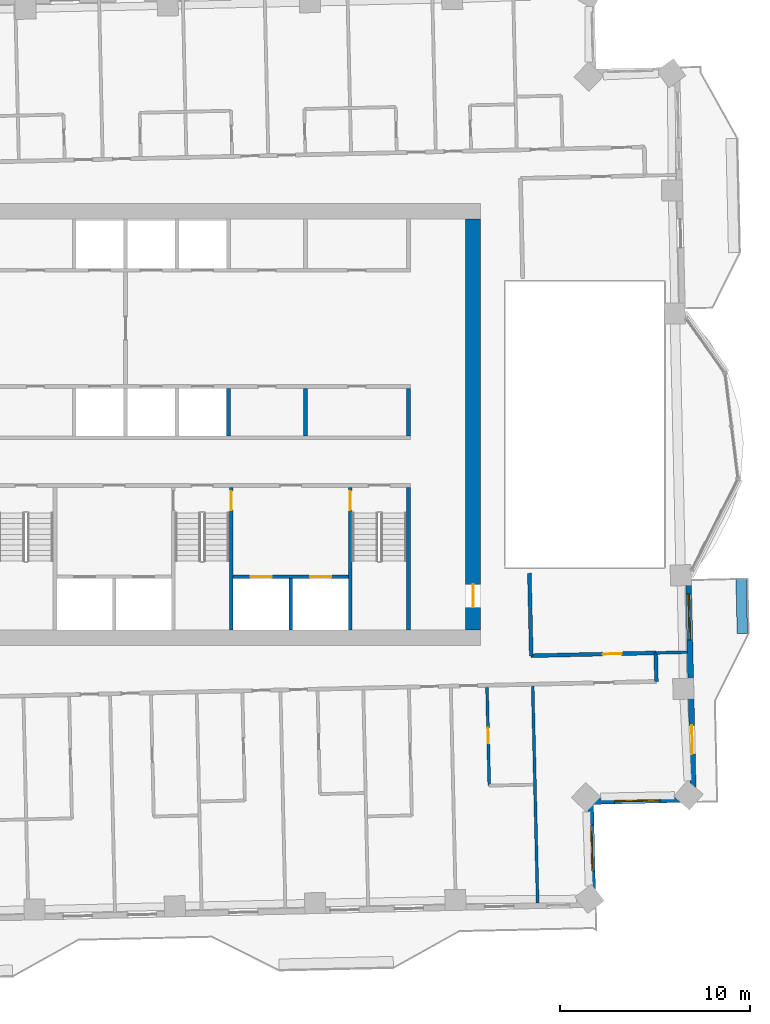
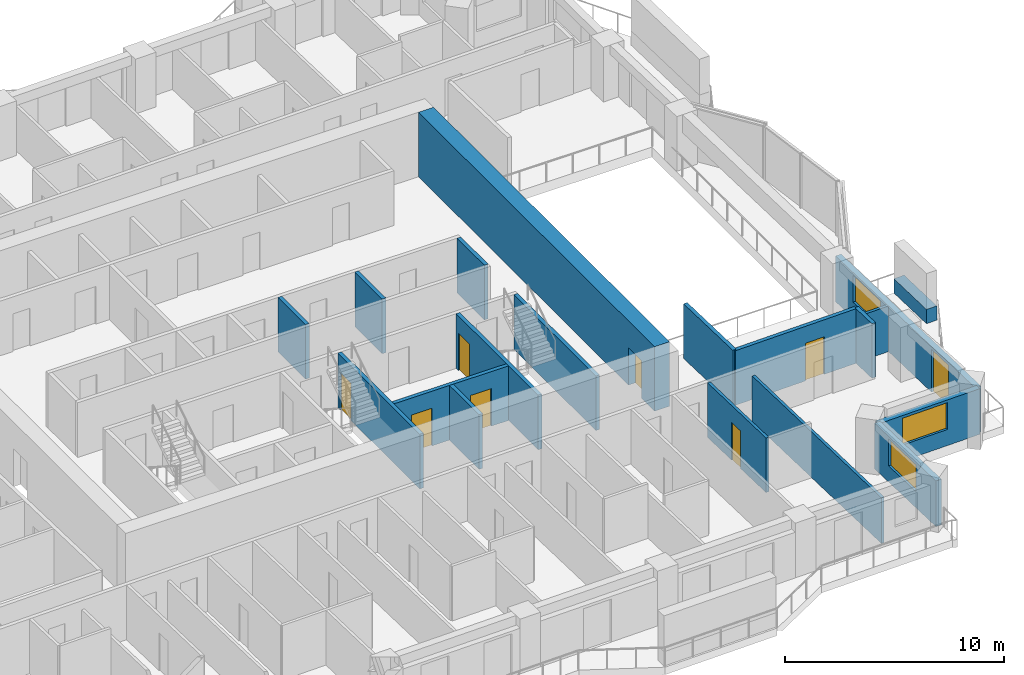
# One storey, part 9 of 16: 19 walls, 8 doors, 3 windows, 11 openings.
"""IFC4 building model written with IfcOpenShell, lengths in metres."""

from ifc_helpers import new_model, si_unit, direction, frame, frame_2d, origin, place, context, subcontext, project, spatial, rectangle, extrude, material, layer, layer_set, type_object, element, fill, save


model = new_model("IFC4")

# Units and contexts
model_context = context("Model", 3, precision=1e-05, world=origin(), true_north=direction((0.0, 1.0)))
body_context = subcontext(model_context, "Body", "Model", "MODEL_VIEW")
ifc_project = project(units=[si_unit("LENGTHUNIT", "METRE"), si_unit("AREAUNIT", "SQUARE_METRE"), si_unit("VOLUMEUNIT", "CUBIC_METRE"), si_unit("PLANEANGLEUNIT", "RADIAN"), si_unit("MASSUNIT", "GRAM", prefix="KILO")], contexts=[model_context])

# Site, building, storey
site_placement = place(None, origin())
site = spatial("IfcSite", under=ifc_project, at=site_placement, CompositionType="ELEMENT")
building_placement = place(site_placement, origin())
building = spatial("IfcBuilding", under=site, at=building_placement, Name="Mangrove Gate Tower", CompositionType="ELEMENT")
storey_placement = place(building_placement, frame((0.0, 0.0, 231.10009765625)))
storey = spatial("IfcBuildingStorey", under=building, at=storey_placement, Name="L58", CompositionType="ELEMENT", Elevation=231.10009765625)

# Walls
ifc_material_1 = material(Name="Concrete C32/40", Category="concrete")
ifc_layer_1 = layer(ifc_material_1, 0.199951171875)
ifc_layer_set_1 = layer_set([ifc_layer_1], Name="Core room wall 200 C32/40")
wall_type_1 = type_object("IfcWallType", Name="Core room wall 200 C32/40", PredefinedType="STANDARD", material=ifc_layer_set_1)
for number, where, z_axis, x_axis, name in (
    (1, (5.39990234375, -0.60009765625, 0.0), (0.0, 0.0, 1.0), (0.0, 1.0, 0.0), "WALL-L58-CORE-24"),
    (2, (10.800048828125, -0.60009765625, 0.0), (0.0, 0.0, 1.0), (0.0, 1.0, 0.0), "WALL-L58-CORE-25"),
):
    element("IfcWall", number, at=place(storey_placement, frame(where, z_axis=z_axis, x_axis=x_axis)), inside=storey, type_object=wall_type_1, Name=name, PredefinedType="STANDARD", context=body_context, shape_type="SweptSolid", body=[
        extrude(rectangle(XDim=2.5, YDim=0.199951171875, at=frame_2d((1.25, 0.0))), origin(), (0.0, 0.0, 1.0), 3.0498046875),
    ])

# Wall, openings, doors
ifc_material_2 = material(Name="Concrete C60/75", Category="concrete")
ifc_layer_2 = layer(ifc_material_2, 0.199951171875)
ifc_layer_set_2 = layer_set([ifc_layer_2], Name="Core shaft wall 200 C60/75")
wall_type_2 = type_object("IfcWallType", Name="Core shaft wall 200 C60/75", PredefinedType="SHEAR", material=ifc_layer_set_2)
wall_1_placement = place(storey_placement, frame((1.60009765625, -8.0, 0.0), z_axis=(0.0, 0.0, 1.0), x_axis=(1.0, 0.0, 0.0)))
wall_1 = element("IfcWall", 3, at=wall_1_placement, inside=storey, type_object=wall_type_2, Name="WALL-L58-CORE-17", PredefinedType="SHEAR", context=body_context, shape_type="SweptSolid", body=[
    extrude(rectangle(XDim=6.0498046875, YDim=0.199951171875, at=frame_2d((3.02490234375, 0.0))), origin(), (0.0, 0.0, 1.0), 3.0498046875),
])
opening_1_placement = place(wall_1_placement, frame((0.91259765625, 0.0, 0.0)))
opening_1 = element("IfcOpeningElement", 4, at=opening_1_placement, cuts=wall_1, Name="Opening LD", PredefinedType="OPENING", context=body_context, shape_type="SweptSolid", body=[
    extrude(rectangle(XDim=1.10009765625, YDim=2.10009765625, at=frame_2d((0.550048828125, 1.050048828125))), frame((0.0, 0.10986328125, 0.0), z_axis=(0.0, -1.0, 0.0), x_axis=(1.0, 0.0, 0.0)), (0.0, 0.0, 1.0), 0.219970703125),
])
opening_2_placement = place(wall_1_placement, frame((4.03759765625, 0.0, 0.0)))
opening_2 = element("IfcOpeningElement", 5, at=opening_2_placement, cuts=wall_1, Name="Opening LD", PredefinedType="OPENING", context=body_context, shape_type="SweptSolid", body=[
    extrude(rectangle(XDim=1.10009765625, YDim=2.10009765625, at=frame_2d((0.550048828125, 1.050048828125))), frame((0.0, 0.10986328125, 0.0), z_axis=(0.0, -1.0, 0.0), x_axis=(1.0, 0.0, 0.0)), (0.0, 0.0, 1.0), 0.219970703125),
])
ifc_material_3 = material(Name="Stainless steel 316", Category="steel")
door_type_1 = type_object("IfcDoorType", Name="Lift landing door 1100x2100", OperationType="SLIDING_TO_LEFT", PredefinedType="DOOR", material=ifc_material_3)
door_1_placement = place(opening_1_placement, origin())
door_1 = element("IfcDoor", 6, at=door_1_placement, inside=storey, type_object=door_type_1, Name="Landing door LD FFL1", OperationType="SLIDING_TO_LEFT", OverallHeight=2.10009765625, OverallWidth=1.10009765625, PredefinedType="DOOR", context=body_context, shape_type="SweptSolid", body=[
    extrude(rectangle(XDim=1.10009765625, YDim=2.10009765625, at=frame_2d((0.550048828125, 1.050048828125))), frame((0.0, 0.02490234375, 0.0), z_axis=(0.0, -1.0, 0.0), x_axis=(1.0, 0.0, 0.0)), (0.0, 0.0, 1.0), 0.050048828125),
])
fill(opening_1, door_1)
door_2_placement = place(opening_2_placement, origin())
door_2 = element("IfcDoor", 7, at=door_2_placement, inside=storey, type_object=door_type_1, Name="Landing door LD FFL2", OperationType="SLIDING_TO_LEFT", OverallHeight=2.10009765625, OverallWidth=1.10009765625, PredefinedType="DOOR", context=body_context, shape_type="SweptSolid", body=[
    extrude(rectangle(XDim=1.10009765625, YDim=2.10009765625, at=frame_2d((0.550048828125, 1.050048828125))), frame((0.0, 0.02490234375, 0.0), z_axis=(0.0, -1.0, 0.0), x_axis=(1.0, 0.0, 0.0)), (0.0, 0.0, 1.0), 0.050048828125),
])
fill(opening_2, door_2)

# Walls
wall_2_placement = place(storey_placement, frame((4.625, -10.800048828125, 0.0), z_axis=(0.0, 0.0, 1.0), x_axis=(0.0, 1.0, 0.0)))
element("IfcWall", 8, at=wall_2_placement, inside=storey, type_object=wall_type_2, Name="WALL-L58-CORE-18", PredefinedType="SHEAR", context=body_context, shape_type="SweptSolid", body=[
    extrude(rectangle(XDim=2.699951171875, YDim=0.199951171875, at=frame_2d((1.35009765625, 0.0))), origin(), (0.0, 0.0, 1.0), 3.0498046875),
])
wall_3_placement = place(storey_placement, frame((1.35009765625, -0.60009765625, 0.0), z_axis=(0.0, 0.0, 1.0), x_axis=(0.0, 1.0, 0.0)))
element("IfcWall", 9, at=wall_3_placement, inside=storey, type_object=wall_type_2, Name="WALL-L58-CORE-23", PredefinedType="SHEAR", context=body_context, shape_type="SweptSolid", body=[
    extrude(rectangle(XDim=2.5, YDim=0.199951171875, at=frame_2d((1.25, 0.0))), origin(), (0.0, 0.0, 1.0), 3.0498046875),
])

# Wall, opening, door
ifc_material_4 = material(Name="Concrete C60/75", Category="concrete")
ifc_layer_3 = layer(ifc_material_4, 0.199951171875)
ifc_layer_set_3 = layer_set([ifc_layer_3], Name="Core stair wall 200 C60/75")
wall_type_3 = type_object("IfcWallType", Name="Core stair wall 200 C60/75", PredefinedType="SHEAR", material=ifc_layer_set_3)
wall_4_placement = place(storey_placement, frame((1.5, -10.800048828125, 0.0), z_axis=(0.0, 0.0, 1.0), x_axis=(0.0, 1.0, 0.0)))
wall_4 = element("IfcWall", 10, at=wall_4_placement, inside=storey, type_object=wall_type_3, Name="WALL-L58-CORE-12", PredefinedType="SHEAR", context=body_context, shape_type="SweptSolid", body=[
    extrude(rectangle(XDim=7.5, YDim=0.199951171875, at=frame_2d((3.75, 0.0))), origin(), (0.0, 0.0, 1.0), 3.0498046875),
])
opening_3_placement = place(wall_4_placement, frame((6.300048828125, 0.0, 0.0)))
opening_3 = element("IfcOpeningElement", 11, at=opening_3_placement, cuts=wall_4, Name="Opening STD10", PredefinedType="OPENING", context=body_context, shape_type="SweptSolid", body=[
    extrude(rectangle(XDim=1.0, YDim=2.10009765625, at=frame_2d((0.5, 1.050048828125))), frame((0.0, 0.10986328125, 0.0), z_axis=(0.0, -1.0, 0.0), x_axis=(1.0, 0.0, 0.0)), (0.0, 0.0, 1.0), 0.219970703125),
])
ifc_material_5 = material(Name="Fire-rated steel door set", Category="steel")
door_type_2 = type_object("IfcDoorType", Name="Stair door FD60 1000x2100", OperationType="SINGLE_SWING_RIGHT", PredefinedType="DOOR", material=ifc_material_5)
door_3_placement = place(opening_3_placement, origin())
door_3 = element("IfcDoor", 12, at=door_3_placement, inside=storey, type_object=door_type_2, Name="Stair door Stair 2 from fire-fighting lobby", OperationType="SINGLE_SWING_RIGHT", OverallHeight=2.10009765625, OverallWidth=1.0, PredefinedType="DOOR", context=body_context, shape_type="SweptSolid", body=[
    extrude(rectangle(XDim=1.0, YDim=2.10009765625, at=frame_2d((0.5, 1.050048828125))), frame((0.0, 0.02490234375, 0.0), z_axis=(0.0, -1.0, 0.0), x_axis=(1.0, 0.0, 0.0)), (0.0, 0.0, 1.0), 0.050048828125),
])
fill(opening_3, door_3)

wall_5_placement = place(storey_placement, frame((7.75, -10.800048828125, 0.0), z_axis=(0.0, 0.0, 1.0), x_axis=(0.0, 1.0, 0.0)))
wall_5 = element("IfcWall", 13, at=wall_5_placement, inside=storey, type_object=wall_type_3, Name="WALL-L58-CORE-13", PredefinedType="SHEAR", context=body_context, shape_type="SweptSolid", body=[
    extrude(rectangle(XDim=7.5, YDim=0.199951171875, at=frame_2d((3.75, 0.0))), origin(), (0.0, 0.0, 1.0), 3.0498046875),
])
opening_4_placement = place(wall_5_placement, frame((6.300048828125, 0.0, 0.0)))
opening_4 = element("IfcOpeningElement", 14, at=opening_4_placement, cuts=wall_5, Name="Opening STD10", PredefinedType="OPENING", context=body_context, shape_type="SweptSolid", body=[
    extrude(rectangle(XDim=1.0, YDim=2.10009765625, at=frame_2d((0.5, 1.050048828125))), frame((0.0, 0.10986328125, 0.0), z_axis=(0.0, -1.0, 0.0), x_axis=(1.0, 0.0, 0.0)), (0.0, 0.0, 1.0), 0.219970703125),
])
door_4_placement = place(opening_4_placement, origin())
door_4 = element("IfcDoor", 15, at=door_4_placement, inside=storey, type_object=door_type_2, Name="Stair door Stair 3 from fire-fighting lobby", OperationType="SINGLE_SWING_RIGHT", OverallHeight=2.10009765625, OverallWidth=1.0, PredefinedType="DOOR", context=body_context, shape_type="SweptSolid", body=[
    extrude(rectangle(XDim=1.0, YDim=2.10009765625, at=frame_2d((0.5, 1.050048828125))), frame((0.0, 0.02490234375, 0.0), z_axis=(0.0, -1.0, 0.0), x_axis=(1.0, 0.0, 0.0)), (0.0, 0.0, 1.0), 0.050048828125),
])
fill(opening_4, door_4)

# Wall
wall_6_placement = place(storey_placement, frame((10.800048828125, -10.800048828125, 0.0), z_axis=(0.0, 0.0, 1.0), x_axis=(0.0, 1.0, 0.0)))
element("IfcWall", 16, at=wall_6_placement, inside=storey, type_object=wall_type_3, Name="WALL-L58-CORE-14", PredefinedType="SHEAR", context=body_context, shape_type="SweptSolid", body=[
    extrude(rectangle(XDim=7.5, YDim=0.199951171875, at=frame_2d((3.75, 0.0))), origin(), (0.0, 0.0, 1.0), 3.0498046875),
])

# Wall, opening, door
ifc_material_6 = material(Name="Concrete C60/75", Category="concrete")
ifc_layer_4 = layer(ifc_material_6, 0.800048828125)
ifc_layer_set_4 = layer_set([ifc_layer_4], Name="Core wall 800 C60/75")
wall_type_4 = type_object("IfcWallType", Name="Core wall 800 C60/75", PredefinedType="SHEAR", material=ifc_layer_set_4)
wall_7_placement = place(storey_placement, frame((14.199951171875, -10.800048828125, 0.0), z_axis=(0.0, 0.0, 1.0), x_axis=(0.0, 1.0, 0.0)))
wall_7 = element("IfcWall", 17, at=wall_7_placement, inside=storey, type_object=wall_type_4, Name="WALL-L58-CORE-4", PredefinedType="SHEAR", context=body_context, shape_type="SweptSolid", body=[
    extrude(rectangle(XDim=21.60009765625, YDim=0.800048828125, at=frame_2d((10.800048828125, 0.0))), origin(), (0.0, 0.0, 1.0), 3.599853515625),
])
opening_5_placement = place(wall_7_placement, frame((1.199951171875, 0.0, 0.0)))
opening_5 = element("IfcOpeningElement", 18, at=opening_5_placement, cuts=wall_7, Name="Opening CD", PredefinedType="OPENING", context=body_context, shape_type="SweptSolid", body=[
    extrude(rectangle(XDim=1.199951171875, YDim=2.10009765625, at=frame_2d((0.60009765625, 1.050048828125))), frame((0.0, 0.409912109375, 0.0), z_axis=(0.0, -1.0, 0.0), x_axis=(1.0, 0.0, 0.0)), (0.0, 0.0, 1.0), 0.820068359375),
])
ifc_material_7 = material(Name="Fire-rated steel door set", Category="steel")
door_type_3 = type_object("IfcDoorType", Name="Core ring door FD60 1200x2100", OperationType="DOUBLE_DOOR_SINGLE_SWING", PredefinedType="DOOR", material=ifc_material_7)
door_5_placement = place(opening_5_placement, origin())
door_5 = element("IfcDoor", 19, at=door_5_placement, inside=storey, type_object=door_type_3, Name="Core ring door E1", OperationType="DOUBLE_DOOR_SINGLE_SWING", OverallHeight=2.10009765625, OverallWidth=1.199951171875, PredefinedType="DOOR", context=body_context, shape_type="SweptSolid", body=[
    extrude(rectangle(XDim=1.199951171875, YDim=2.10009765625, at=frame_2d((0.60009765625, 1.050048828125))), frame((0.0, 0.02490234375, 0.0), z_axis=(0.0, -1.0, 0.0), x_axis=(1.0, 0.0, 0.0)), (0.0, 0.0, 1.0), 0.050048828125),
])
fill(opening_5, door_5)

# Walls
ifc_material_8 = material(Name="Gypsum board on steel stud, EI 60", Category="steel")
ifc_layer_5 = layer(ifc_material_8, 0.199951171875)
ifc_layer_set_5 = layer_set([ifc_layer_5], Name="Corridor wall EI 60")
wall_type_5 = type_object("IfcWallType", Name="Corridor wall EI 60", PredefinedType="PARTITIONING", material=ifc_layer_set_5)
wall_8_placement = place(storey_placement, frame((23.824951171875, -13.5, 0.0), z_axis=(0.0, 0.0, 1.0), x_axis=(-0.022632637625, 0.99974384905, 0.0)))
element("IfcWall", 20, at=wall_8_placement, inside=storey, type_object=wall_type_5, Name="WALL-L58-028", PredefinedType="PARTITIONING", context=body_context, shape_type="SweptSolid", body=[
    extrude(rectangle(XDim=1.49951171875, YDim=0.199951171875, at=frame_2d((0.749755859375, 0.0))), origin(), (0.0, 0.0, 1.0), 3.0498046875),
])
wall_9_placement = place(storey_placement, frame((17.2529296875, -12.14892578125, 0.0), z_axis=(0.0, 0.0, 1.0), x_axis=(-0.022578158225, 0.999745080894, 0.0)))
element("IfcWall", 21, at=wall_9_placement, inside=storey, type_object=wall_type_5, Name="WALL-L58-031", PredefinedType="PARTITIONING", context=body_context, shape_type="SweptSolid", body=[
    extrude(rectangle(XDim=4.336181640625, YDim=0.199951171875, at=frame_2d((2.16796875, 0.0))), origin(), (0.0, 0.0, 1.0), 3.0498046875),
])

# Wall, opening, door
wall_10_placement = place(storey_placement, frame((17.248046875, -12.14501953125, 0.0), z_axis=(0.0, 0.0, 1.0), x_axis=(0.999744752818, 0.022592680497, 0.0)))
wall_10 = element("IfcWall", 22, at=wall_10_placement, inside=storey, type_object=wall_type_5, Name="WALL-L58-034", PredefinedType="PARTITIONING", context=body_context, shape_type="SweptSolid", body=[
    extrude(rectangle(XDim=6.548583984375, YDim=0.199951171875, at=frame_2d((3.2744140625, 0.0))), origin(), (0.0, 0.0, 1.0), 3.0498046875),
])
opening_6_placement = place(wall_10_placement, frame((3.75, 0.0, 0.0)))
opening_6 = element("IfcOpeningElement", 23, at=opening_6_placement, cuts=wall_10, Name="Opening AD", PredefinedType="OPENING", context=body_context, shape_type="SweptSolid", body=[
    extrude(rectangle(XDim=1.0, YDim=2.10009765625, at=frame_2d((0.5, 1.050048828125))), frame((0.0, 0.10986328125, 0.0), z_axis=(0.0, -1.0, 0.0), x_axis=(1.0, 0.0, 0.0)), (0.0, 0.0, 1.0), 0.219970703125),
])
ifc_material_9 = material(Name="Timber door leaf", Category="wood")
door_type_4 = type_object("IfcDoorType", Name="Amenity door 1000", OperationType="SINGLE_SWING_LEFT", PredefinedType="DOOR", material=ifc_material_9)
door_6_placement = place(opening_6_placement, origin())
door_6 = element("IfcDoor", 24, at=door_6_placement, inside=storey, type_object=door_type_4, Name="DOOR-L58-STU-c3b", OperationType="SINGLE_SWING_LEFT", OverallHeight=2.10009765625, OverallWidth=1.0, PredefinedType="DOOR", context=body_context, shape_type="SweptSolid", body=[
    extrude(rectangle(XDim=1.0, YDim=2.10009765625, at=frame_2d((0.5, 1.050048828125))), frame((0.0, 0.02490234375, 0.0), z_axis=(0.0, -1.0, 0.0), x_axis=(1.0, 0.0, 0.0)), (0.0, 0.0, 1.0), 0.050048828125),
])
fill(opening_6, door_6)

# Wall, openings, door, window
ifc_material_10 = material(Name="Limestone", Category="masonry")
ifc_layer_6 = layer(ifc_material_10, 0.0400390625, Name="Limestone cladding")
ifc_material_11 = material(Name="Ventilated air gap")
ifc_layer_7 = layer(ifc_material_11, 0.0400390625, Name="Ventilated cavity")
ifc_material_12 = material(Name="Mineral wool insulation")
ifc_layer_8 = layer(ifc_material_12, 0.06005859375, Name="Insulation")
ifc_material_13 = material(Name="Breather membrane")
ifc_layer_9 = layer(ifc_material_13, 0.001953125, Name="Breather membrane")
ifc_material_14 = material(Name="Concrete C20/25 blockwork", Category="masonry")
ifc_layer_10 = layer(ifc_material_14, 0.14990234375, Name="Blockwork backing wall")
ifc_material_15 = material(Name="Gypsum plaster")
ifc_layer_11 = layer(ifc_material_15, 0.008056640625, Name="Internal plaster")
ifc_layer_set_6 = layer_set([ifc_layer_6, ifc_layer_7, ifc_layer_8, ifc_layer_9, ifc_layer_10, ifc_layer_11], Name="External wall 300 limestone cladding")
wall_type_6 = type_object("IfcWallType", Name="External wall 300 limestone cladding", PredefinedType="SOLIDWALL", material=ifc_layer_set_6)
wall_11_placement = place(storey_placement, frame((25.77001953125, -19.68408203125, 0.0), z_axis=(0.0, 0.0, 1.0), x_axis=(-0.022642656789, 0.999743622182, 0.0)))
wall_11 = element("IfcWall", 25, at=wall_11_placement, inside=storey, type_object=wall_type_6, Name="WALL-L58-E0s1", PredefinedType="SOLIDWALL", context=body_context, shape_type="SweptSolid", body=[
    extrude(rectangle(XDim=12.32421875, YDim=0.300048828125, at=frame_2d((6.162109375, 0.0))), origin(), (0.0, 0.0, 1.0), 2.5498046875),
])
opening_7_placement = place(wall_11_placement, frame((2.3798828125, 0.0, 0.0)))
opening_7 = element("IfcOpeningElement", 26, at=opening_7_placement, cuts=wall_11, Name="Opening BD1", PredefinedType="OPENING", context=body_context, shape_type="SweptSolid", body=[
    extrude(rectangle(XDim=1.5, YDim=2.39990234375, at=frame_2d((0.75, 1.199951171875))), frame((0.0, 0.159912109375, 0.0), z_axis=(0.0, -1.0, 0.0), x_axis=(1.0, 0.0, 0.0)), (0.0, 0.0, 1.0), 0.320068359375),
])
opening_8_placement = place(wall_11_placement, frame((8.375, 0.0, 0.89990234375)))
opening_8 = element("IfcOpeningElement", 27, at=opening_8_placement, cuts=wall_11, Name="Opening W2", PredefinedType="OPENING", context=body_context, shape_type="SweptSolid", body=[
    extrude(rectangle(XDim=2.39990234375, YDim=1.5, at=frame_2d((1.199951171875, 0.75))), frame((0.0, 0.159912109375, 0.0), z_axis=(0.0, -1.0, 0.0), x_axis=(1.0, 0.0, 0.0)), (0.0, 0.0, 1.0), 0.320068359375),
])
ifc_material_16 = material(Name="Aluminium frame with laminated clear glass", Category="aluminium")
door_type_5 = type_object("IfcDoorType", Name="Balcony sliding door 1500x2400", OperationType="SLIDING_TO_LEFT", PredefinedType="DOOR", material=ifc_material_16)
door_7_placement = place(opening_7_placement, origin())
door_7 = element("IfcDoor", 28, at=door_7_placement, inside=storey, type_object=door_type_5, Name="DOOR-L58-E0-1", OperationType="SLIDING_TO_LEFT", OverallHeight=2.39990234375, OverallWidth=1.5, PredefinedType="DOOR", context=body_context, shape_type="SweptSolid", body=[
    extrude(rectangle(XDim=1.5, YDim=2.39990234375, at=frame_2d((0.75, 1.199951171875))), frame((0.0, 0.02490234375, 0.0), z_axis=(0.0, -1.0, 0.0), x_axis=(1.0, 0.0, 0.0)), (0.0, 0.0, 1.0), 0.050048828125),
])
fill(opening_7, door_7)
ifc_material_17 = material(Name="Aluminium frame with double-glazed low-e glass", Category="aluminium")
window_type = type_object("IfcWindowType", Name="Corner room window 2400x1500", PartitioningType="DOUBLE_PANEL_VERTICAL", PredefinedType="WINDOW", material=ifc_material_17)
window_1_placement = place(opening_8_placement, origin())
window_1 = element("IfcWindow", 29, at=window_1_placement, inside=storey, type_object=window_type, Name="WIN-L58-E0-2", OverallHeight=1.5, OverallWidth=2.39990234375, PartitioningType="DOUBLE_PANEL_VERTICAL", PredefinedType="WINDOW", context=body_context, shape_type="SweptSolid", body=[
    extrude(rectangle(XDim=2.39990234375, YDim=1.5, at=frame_2d((1.199951171875, 0.75))), frame((0.0, 0.030029296875, 0.0), z_axis=(0.0, -1.0, 0.0), x_axis=(1.0, 0.0, 0.0)), (0.0, 0.0, 1.0), 0.06005859375),
])
fill(opening_8, window_1)

# Wall, opening, window
wall_12_placement = place(storey_placement, frame((20.493896484375, -25.205078125, 0.0), z_axis=(0.0, 0.0, 1.0), x_axis=(-0.022558128916, 0.999745533033, 0.0)))
wall_12 = element("IfcWall", 30, at=wall_12_placement, inside=storey, type_object=wall_type_6, Name="WALL-L58-E14", PredefinedType="SOLIDWALL", context=body_context, shape_type="SweptSolid", body=[
    extrude(rectangle(XDim=5.400634765625, YDim=0.300048828125, at=frame_2d((2.7001953125, 0.0))), origin(), (0.0, 0.0, 1.0), 2.5498046875),
])
opening_9_placement = place(wall_12_placement, frame((1.761962890625, 0.0, 0.89990234375)))
opening_9 = element("IfcOpeningElement", 31, at=opening_9_placement, cuts=wall_12, Name="Opening W2", PredefinedType="OPENING", context=body_context, shape_type="SweptSolid", body=[
    extrude(rectangle(XDim=2.39990234375, YDim=1.5, at=frame_2d((1.199951171875, 0.75))), frame((0.0, 0.159912109375, 0.0), z_axis=(0.0, -1.0, 0.0), x_axis=(1.0, 0.0, 0.0)), (0.0, 0.0, 1.0), 0.320068359375),
])
window_2_placement = place(opening_9_placement, origin())
window_2 = element("IfcWindow", 32, at=window_2_placement, inside=storey, type_object=window_type, Name="WIN-L58-E14-1", OverallHeight=1.5, OverallWidth=2.39990234375, PartitioningType="DOUBLE_PANEL_VERTICAL", PredefinedType="WINDOW", context=body_context, shape_type="SweptSolid", body=[
    extrude(rectangle(XDim=2.39990234375, YDim=1.5, at=frame_2d((1.199951171875, 0.75))), frame((0.0, 0.030029296875, 0.0), z_axis=(0.0, -1.0, 0.0), x_axis=(1.0, 0.0, 0.0)), (0.0, 0.0, 1.0), 0.06005859375),
])
fill(opening_9, window_2)

wall_13_placement = place(storey_placement, frame((20.3720703125, -19.805908203125, 0.0), z_axis=(0.0, 0.0, 1.0), x_axis=(0.999745417973, 0.02256322766, 0.0)))
wall_13 = element("IfcWall", 33, at=wall_13_placement, inside=storey, type_object=wall_type_6, Name="WALL-L58-S15", PredefinedType="SOLIDWALL", context=body_context, shape_type="SweptSolid", body=[
    extrude(rectangle(XDim=5.3994140625, YDim=0.300048828125, at=frame_2d((2.69970703125, 0.0))), origin(), (0.0, 0.0, 1.0), 2.5498046875),
])
opening_10_placement = place(wall_13_placement, frame((1.251953125, 0.0, 0.89990234375)))
opening_10 = element("IfcOpeningElement", 34, at=opening_10_placement, cuts=wall_13, Name="Opening W2", PredefinedType="OPENING", context=body_context, shape_type="SweptSolid", body=[
    extrude(rectangle(XDim=2.39990234375, YDim=1.5, at=frame_2d((1.199951171875, 0.75))), frame((0.0, 0.159912109375, 0.0), z_axis=(0.0, -1.0, 0.0), x_axis=(1.0, 0.0, 0.0)), (0.0, 0.0, 1.0), 0.320068359375),
])
window_3_placement = place(opening_10_placement, origin())
window_3 = element("IfcWindow", 35, at=window_3_placement, inside=storey, type_object=window_type, Name="WIN-L58-S15-1", OverallHeight=1.5, OverallWidth=2.39990234375, PartitioningType="DOUBLE_PANEL_VERTICAL", PredefinedType="WINDOW", context=body_context, shape_type="SweptSolid", body=[
    extrude(rectangle(XDim=2.39990234375, YDim=1.5, at=frame_2d((1.199951171875, 0.75))), frame((0.0, 0.030029296875, 0.0), z_axis=(0.0, -1.0, 0.0), x_axis=(1.0, 0.0, 0.0)), (0.0, 0.0, 1.0), 0.06005859375),
])
fill(opening_10, window_3)

# Wall
ifc_material_18 = material(Name="Gypsum board on steel stud, EI 60", Category="steel")
ifc_layer_12 = layer(ifc_material_18, 0.14990234375)
ifc_layer_set_7 = layer_set([ifc_layer_12], Name="Party wall 150 EI 60")
wall_type_7 = type_object("IfcWallType", Name="Party wall 150 EI 60", PredefinedType="PARTITIONING", material=ifc_layer_set_7)
wall_14_placement = place(storey_placement, frame((17.5869140625, -25.12109375, 0.0), z_axis=(0.0, 0.0, 1.0), x_axis=(-0.022662905301, 0.999743163379, 0.0)))
element("IfcWall", 36, at=wall_14_placement, inside=storey, type_object=wall_type_7, Name="WALL-L58-009", PredefinedType="PARTITIONING", context=body_context, shape_type="SweptSolid", body=[
    extrude(rectangle(XDim=11.3759765625, YDim=0.14990234375, at=frame_2d((5.68798828125, 0.0))), origin(), (0.0, 0.0, 1.0), 2.5498046875),
])

# Wall, opening, door
wall_15_placement = place(storey_placement, frame((15.047119140625, -18.970947265625, 0.0), z_axis=(0.0, 0.0, 1.0), x_axis=(-0.022665628603, 0.999743101642, 0.0)))
wall_15 = element("IfcWall", 37, at=wall_15_placement, inside=storey, type_object=wall_type_7, Name="WALL-L58-023", PredefinedType="PARTITIONING", context=body_context, shape_type="SweptSolid", body=[
    extrude(rectangle(XDim=5.170166015625, YDim=0.14990234375, at=frame_2d((2.5849609375, 0.0))), origin(), (0.0, 0.0, 1.0), 3.0498046875),
])
opening_11_placement = place(wall_15_placement, frame((2.235107421875, 0.0, 0.0)))
opening_11 = element("IfcOpeningElement", 38, at=opening_11_placement, cuts=wall_15, Name="Opening ED", PredefinedType="OPENING", context=body_context, shape_type="SweptSolid", body=[
    extrude(rectangle(XDim=0.800048828125, YDim=2.10009765625, at=frame_2d((0.39990234375, 1.050048828125))), frame((0.0, 0.0849609375, 0.0), z_axis=(0.0, -1.0, 0.0), x_axis=(1.0, 0.0, 0.0)), (0.0, 0.0, 1.0), 0.169921875),
])
ifc_material_19 = material(Name="Timber door leaf", Category="wood")
door_type_6 = type_object("IfcDoorType", Name="En-suite door 800", OperationType="SINGLE_SWING_LEFT", PredefinedType="DOOR", material=ifc_material_19)
door_8_placement = place(opening_11_placement, origin())
door_8 = element("IfcDoor", 39, at=door_8_placement, inside=storey, type_object=door_type_6, Name="DOOR-L58-ENS-c308", OperationType="SINGLE_SWING_RIGHT", OverallHeight=2.10009765625, OverallWidth=0.800048828125, PredefinedType="DOOR", context=body_context, shape_type="SweptSolid", body=[
    extrude(rectangle(XDim=0.800048828125, YDim=2.10009765625, at=frame_2d((0.39990234375, 1.050048828125))), frame((0.0, 0.02490234375, 0.0), z_axis=(0.0, -1.0, 0.0), x_axis=(1.0, 0.0, 0.0)), (0.0, 0.0, 1.0), 0.050048828125),
])
fill(opening_11, door_8)

# Walls
wall_16_placement = place(storey_placement, frame((23.794921875, -11.9970703125, 0.0), z_axis=(0.0, 0.0, 1.0), x_axis=(0.999733755381, 0.023074192312, 0.0)))
element("IfcWall", 40, at=wall_16_placement, inside=storey, type_object=wall_type_7, Name="WALL-L58-035", PredefinedType="PARTITIONING", context=body_context, shape_type="SweptSolid", body=[
    extrude(rectangle(XDim=1.650634765625, YDim=0.14990234375, at=frame_2d((0.8251953125, 0.0))), origin(), (0.0, 0.0, 1.0), 2.5498046875),
])
ifc_material_20 = material(Name="Concrete C32/40", Category="concrete")
ifc_layer_13 = layer(ifc_material_20, 0.199951171875, Name="Planter trough wall")
ifc_material_21 = material(Name="Bituminous waterproofing membrane")
ifc_layer_14 = layer(ifc_material_21, 0.0048828125, Name="Waterproofing")
ifc_material_22 = material(Name="Drainage board and gravel")
ifc_layer_15 = layer(ifc_material_22, 0.044921875, Name="Drainage layer")
ifc_material_23 = material(Name="Planting soil")
ifc_layer_16 = layer(ifc_material_23, 0.300048828125, Name="Growing medium")
ifc_layer_set_8 = layer_set([ifc_layer_13, ifc_layer_14, ifc_layer_15, ifc_layer_16], Name="Planter wall 550 C32/40")
wall_type_8 = type_object("IfcWallType", Name="Planter wall 550 C32/40", PredefinedType="USERDEFINED", material=ifc_layer_set_8)
wall_17_placement = place(storey_placement, frame((28.337890625, -10.972900390625, 0.0), z_axis=(0.0, 0.0, 1.0), x_axis=(-0.02259214234, 0.99974476498, 0.0)))
element("IfcWall", 41, at=wall_17_placement, inside=storey, type_object=wall_type_8, Name="PLANTER L58 E0.1", ObjectType="PLANTER", PredefinedType="USERDEFINED", context=body_context, shape_type="SweptSolid", body=[
    extrude(rectangle(XDim=2.87451171875, YDim=0.550048828125, at=frame_2d((1.437255859375, 0.0))), origin(), (0.0, 0.0, 1.0), 0.7998046875),
])

save(model, "model.ifc")
